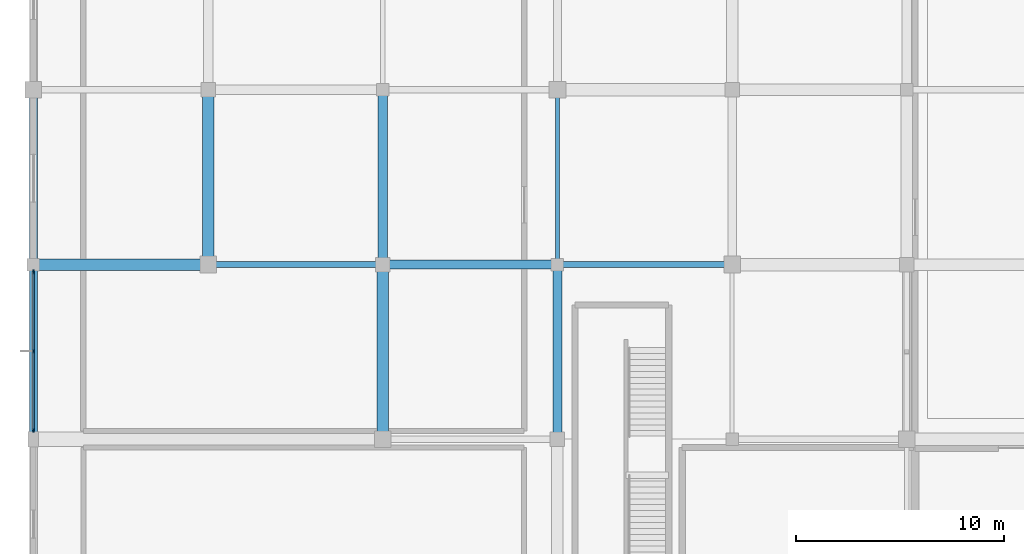
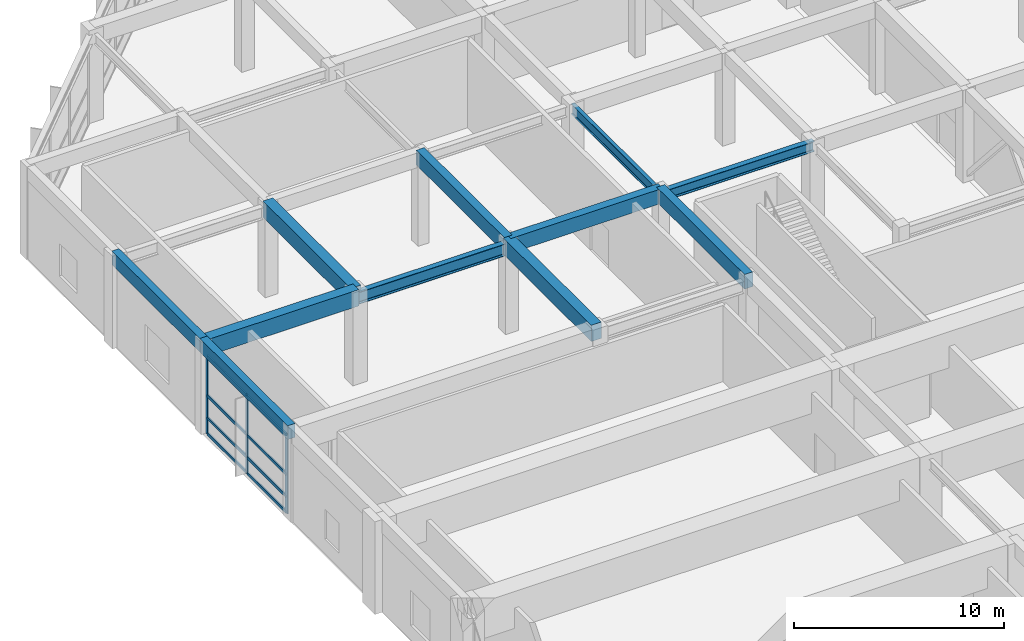
# One storey, part 18 of 62: 11 beams, 11 members, 1 element without a shape of its own.
"""IFC4 building model written with IfcOpenShell, lengths in metres."""

from ifc_helpers import new_model, si_unit, direction, frame, origin, origin_2d, place, context, subcontext, project, spatial, rectangle, i_section, extrude, material, material_profile, profile_set, type_object, element, aggregate, save


model = new_model("IFC4")

# Units and contexts
model_context = context("Model", 3, precision=1e-05, world=origin(), true_north=direction((0.0, 1.0)))
body_context = subcontext(model_context, "Body", "Model", "MODEL_VIEW")
ifc_project = project(units=[si_unit("LENGTHUNIT", "METRE"), si_unit("AREAUNIT", "SQUARE_METRE"), si_unit("VOLUMEUNIT", "CUBIC_METRE"), si_unit("PLANEANGLEUNIT", "RADIAN"), si_unit("MASSUNIT", "GRAM", prefix="KILO")], contexts=[model_context])

# Site, building, storey
site_placement = place(None, origin())
site = spatial("IfcSite", under=ifc_project, at=site_placement, CompositionType="ELEMENT")
building_placement = place(site_placement, origin())
building = spatial("IfcBuilding", under=site, at=building_placement, Name="Xuanlan Plaza Opera House", CompositionType="ELEMENT")
storey_placement = place(building_placement, origin())
storey = spatial("IfcBuildingStorey", under=building, at=storey_placement, Name="L00", CompositionType="ELEMENT", Elevation=0.0)

# Curtain wall, members
ifc_material_1 = material(Name="Anodised Aluminium 6063-T6 and Low-E Glass", Category="aluminium")
curtain_wall_type = type_object("IfcCurtainWallType", Name="ENV-CW-CW-01", PredefinedType="USERDEFINED", material=ifc_material_1)
curtain_wall_placement = place(storey_placement, origin())
curtain_wall = element("IfcCurtainWall", 1, at=curtain_wall_placement, inside=storey, type_object=curtain_wall_type, Name="Unitised Curtain Wall L00-051", ObjectType="UNITISED CURTAIN WALL", PredefinedType="USERDEFINED")
ifc_material_2 = material(Name="Anodised Aluminium 6063-T6", Category="aluminium")
ifc_material_profile_1 = material_profile(ifc_material_2, rectangle(XDim=0.074951171875, YDim=0.199951171875, at=origin_2d()), Name="ALU-M 75x200")
ifc_profile_set_1 = profile_set([ifc_material_profile_1], Name="Anodised Aluminium 6063-T6")
member_type_1 = type_object("IfcMemberType", Name="ENV-CWM-03", PredefinedType="MULLION", material=ifc_profile_set_1)
member_1_placement = place(storey_placement, frame((0.0, 83.642578125, 0.0), z_axis=(0.0, 0.0, 1.0), x_axis=(1.0, 0.0, 0.0)))
member_1 = element("IfcMember", 2, at=member_1_placement, type_object=member_type_1, Name="CW-01 mullion 1", PredefinedType="MULLION", context=body_context, shape_type="SweptSolid", body=[
    extrude(rectangle(XDim=0.074951171875, YDim=0.199951171875, at=origin_2d()), origin(), (0.0, 0.0, 1.0), 4.580078125),
])
member_2_placement = place(storey_placement, frame((0.0, 79.83740234375, 0.0), z_axis=(0.0, 0.0, 1.0), x_axis=(1.0, 0.0, 0.0)))
member_2 = element("IfcMember", 3, at=member_2_placement, type_object=member_type_1, Name="CW-01 mullion 2", PredefinedType="MULLION", context=body_context, shape_type="SweptSolid", body=[
    extrude(rectangle(XDim=0.074951171875, YDim=0.199951171875, at=origin_2d()), origin(), (0.0, 0.0, 1.0), 4.580078125),
])
member_3_placement = place(storey_placement, frame((0.0, 76.032470703125, 0.0), z_axis=(0.0, 0.0, 1.0), x_axis=(1.0, 0.0, 0.0)))
member_3 = element("IfcMember", 4, at=member_3_placement, type_object=member_type_1, Name="CW-01 mullion 3", PredefinedType="MULLION", context=body_context, shape_type="SweptSolid", body=[
    extrude(rectangle(XDim=0.074951171875, YDim=0.199951171875, at=origin_2d()), origin(), (0.0, 0.0, 1.0), 4.580078125),
])
ifc_material_profile_2 = material_profile(ifc_material_2, rectangle(XDim=0.080078125, YDim=0.1650390625, at=origin_2d()), Name="ALU-T 80x165")
ifc_profile_set_2 = profile_set([ifc_material_profile_2], Name="Anodised Aluminium 6063-T6")
member_type_2 = type_object("IfcMemberType", Name="ENV-CWT-04", PredefinedType="USERDEFINED", material=ifc_profile_set_2)
member_4_placement = place(storey_placement, frame((0.0, 83.60498046875, 0.0400390625), z_axis=(0.0, -1.0, 0.0), x_axis=(1.0, 0.0, 0.0)))
member_4 = element("IfcMember", 5, at=member_4_placement, type_object=member_type_2, Name="CW-01 transom 1.1", ObjectType="TRANSOM", PredefinedType="USERDEFINED", context=body_context, shape_type="SweptSolid", body=[
    extrude(rectangle(XDim=0.080078125, YDim=0.1650390625, at=origin_2d()), origin(), (0.0, 0.0, 1.0), 3.72998046875),
])
member_5_placement = place(storey_placement, frame((0.0, 83.60498046875, 0.949951171875), z_axis=(0.0, -1.0, 0.0), x_axis=(1.0, 0.0, 0.0)))
member_5 = element("IfcMember", 6, at=member_5_placement, type_object=member_type_2, Name="CW-01 transom 1.2", ObjectType="TRANSOM", PredefinedType="USERDEFINED", context=body_context, shape_type="SweptSolid", body=[
    extrude(rectangle(XDim=0.080078125, YDim=0.1650390625, at=origin_2d()), origin(), (0.0, 0.0, 1.0), 3.72998046875),
])
member_6_placement = place(storey_placement, frame((0.0, 83.60498046875, 2.25), z_axis=(0.0, -1.0, 0.0), x_axis=(1.0, 0.0, 0.0)))
member_6 = element("IfcMember", 7, at=member_6_placement, type_object=member_type_2, Name="CW-01 transom 1.3", ObjectType="TRANSOM", PredefinedType="USERDEFINED", context=body_context, shape_type="SweptSolid", body=[
    extrude(rectangle(XDim=0.080078125, YDim=0.1650390625, at=origin_2d()), origin(), (0.0, 0.0, 1.0), 3.72998046875),
])
member_7_placement = place(storey_placement, frame((0.0, 83.60498046875, 4.5400390625), z_axis=(0.0, -1.0, 0.0), x_axis=(1.0, 0.0, 0.0)))
member_7 = element("IfcMember", 8, at=member_7_placement, type_object=member_type_2, Name="CW-01 transom 1.4", ObjectType="TRANSOM", PredefinedType="USERDEFINED", context=body_context, shape_type="SweptSolid", body=[
    extrude(rectangle(XDim=0.080078125, YDim=0.1650390625, at=origin_2d()), origin(), (0.0, 0.0, 1.0), 3.72998046875),
])
member_8_placement = place(storey_placement, frame((0.0, 79.800048828125, 0.0400390625), z_axis=(0.0, -1.0, 0.0), x_axis=(1.0, 0.0, 0.0)))
member_8 = element("IfcMember", 9, at=member_8_placement, type_object=member_type_2, Name="CW-01 transom 2.1", ObjectType="TRANSOM", PredefinedType="USERDEFINED", context=body_context, shape_type="SweptSolid", body=[
    extrude(rectangle(XDim=0.080078125, YDim=0.1650390625, at=origin_2d()), origin(), (0.0, 0.0, 1.0), 3.72998046875),
])
member_9_placement = place(storey_placement, frame((0.0, 79.800048828125, 0.949951171875), z_axis=(0.0, -1.0, 0.0), x_axis=(1.0, 0.0, 0.0)))
member_9 = element("IfcMember", 10, at=member_9_placement, type_object=member_type_2, Name="CW-01 transom 2.2", ObjectType="TRANSOM", PredefinedType="USERDEFINED", context=body_context, shape_type="SweptSolid", body=[
    extrude(rectangle(XDim=0.080078125, YDim=0.1650390625, at=origin_2d()), origin(), (0.0, 0.0, 1.0), 3.72998046875),
])
member_10_placement = place(storey_placement, frame((0.0, 79.800048828125, 2.25), z_axis=(0.0, -1.0, 0.0), x_axis=(1.0, 0.0, 0.0)))
member_10 = element("IfcMember", 11, at=member_10_placement, type_object=member_type_2, Name="CW-01 transom 2.3", ObjectType="TRANSOM", PredefinedType="USERDEFINED", context=body_context, shape_type="SweptSolid", body=[
    extrude(rectangle(XDim=0.080078125, YDim=0.1650390625, at=origin_2d()), origin(), (0.0, 0.0, 1.0), 3.72998046875),
])
member_11_placement = place(storey_placement, frame((0.0, 79.800048828125, 4.5400390625), z_axis=(0.0, -1.0, 0.0), x_axis=(1.0, 0.0, 0.0)))
member_11 = element("IfcMember", 12, at=member_11_placement, type_object=member_type_2, Name="CW-01 transom 2.4", ObjectType="TRANSOM", PredefinedType="USERDEFINED", context=body_context, shape_type="SweptSolid", body=[
    extrude(rectangle(XDim=0.080078125, YDim=0.1650390625, at=origin_2d()), origin(), (0.0, 0.0, 1.0), 3.72998046875),
])
aggregate(curtain_wall, [member_1, member_2, member_3, member_4, member_5, member_6, member_7, member_8, member_9, member_10, member_11])

# Beams
ifc_material_3 = material(Name="Concrete C50", Category="concrete")
ifc_material_profile_3 = material_profile(ifc_material_3, rectangle(XDim=0.550048828125, YDim=0.949951171875, at=origin_2d()), Name="RC-BM 550x950")
ifc_profile_set_3 = profile_set([ifc_material_profile_3], Name="Concrete C50")
beam_type_1 = type_object("IfcBeamType", Name="STR-BM-B-02", PredefinedType="BEAM", material=ifc_profile_set_3)
for number, where, z_axis, x_axis, name in (
    (13, (0.0, 84.0, 4.925048828125), (1.0, 0.0, 0.0), (0.0, 1.0, 0.0), "Grid Beam X L00 1-2/K"),
    (14, (8.39990234375, 84.0, 4.925048828125), (0.0, 1.0, 0.0), (-1.0, 0.0, 0.0), "Grid Beam Y L00 2/K-L"),
    (15, (16.800048828125, 75.60009765625, 4.925048828125), (0.0, 1.0, 0.0), (-1.0, 0.0, 0.0), "Grid Beam Y L00 3/J-K"),
):
    element("IfcBeam", number, at=place(storey_placement, frame(where, z_axis=z_axis, x_axis=x_axis)), inside=storey, type_object=beam_type_1, Name=name, PredefinedType="BEAM", context=body_context, shape_type="SweptSolid", body=[
        extrude(rectangle(XDim=0.550048828125, YDim=0.949951171875, at=origin_2d()), origin(), (0.0, 0.0, 1.0), 8.39990234375),
    ])
ifc_material_4 = material(Name="Concrete C40", Category="concrete")
ifc_material_profile_4 = material_profile(ifc_material_4, rectangle(XDim=0.449951171875, YDim=0.85009765625, at=origin_2d()), Name="RC-BM 450x850")
ifc_profile_set_4 = profile_set([ifc_material_profile_4], Name="Concrete C40")
beam_type_2 = type_object("IfcBeamType", Name="STR-BM-B-04", PredefinedType="BEAM", material=ifc_profile_set_4)
for number, where, z_axis, x_axis, name in (
    (16, (16.800048828125, 84.0, 4.97509765625), (1.0, 0.0, 0.0), (0.0, 1.0, 0.0), "Grid Beam X L00 3-4/K"),
    (17, (16.800048828125, 84.0, 4.97509765625), (0.0, 1.0, 0.0), (-1.0, 0.0, 0.0), "Grid Beam Y L00 3/K-L"),
    (18, (25.199951171875, 75.60009765625, 4.97509765625), (0.0, 1.0, 0.0), (-1.0, 0.0, 0.0), "Grid Beam Y L00 4/J-K"),
):
    element("IfcBeam", number, at=place(storey_placement, frame(where, z_axis=z_axis, x_axis=x_axis)), inside=storey, type_object=beam_type_2, Name=name, PredefinedType="BEAM", context=body_context, shape_type="SweptSolid", body=[
        extrude(rectangle(XDim=0.449951171875, YDim=0.85009765625, at=origin_2d()), origin(), (0.0, 0.0, 1.0), 8.39990234375),
    ])
ifc_material_5 = material(Name="Steel Q355B", Category="steel")
ifc_material_profile_5 = material_profile(ifc_material_5, i_section(OverallWidth=0.300048828125, OverallDepth=0.699951171875, WebThickness=0.012939453125, FlangeThickness=0.02392578125, FilletRadius=0.02392578125, at=origin_2d()), Name="HN 700x300x13x24")
ifc_profile_set_5 = profile_set([ifc_material_profile_5], Name="Steel Q355B")
beam_type_3 = type_object("IfcBeamType", Name="STR-BM-SB-03", PredefinedType="BEAM", material=ifc_profile_set_5)
beam_1_placement = place(storey_placement, frame((8.39990234375, 84.0, 4.784912109375), z_axis=(1.0, 0.0, 0.0), x_axis=(0.0, 1.0, 0.0)))
element("IfcBeam", 19, at=beam_1_placement, inside=storey, type_object=beam_type_3, Name="Grid Beam X L00 2-3/K", PredefinedType="BEAM", context=body_context, shape_type="SweptSolid", body=[
    extrude(i_section(OverallWidth=0.300048828125, OverallDepth=0.699951171875, WebThickness=0.012939453125, FlangeThickness=0.02392578125, FilletRadius=0.02392578125, at=origin_2d()), origin(), (0.0, 0.0, 1.0), 8.400146484375),
])
ifc_material_profile_6 = material_profile(ifc_material_5, i_section(OverallWidth=0.199951171875, OverallDepth=0.60009765625, WebThickness=0.010986328125, FlangeThickness=0.01708984375, FilletRadius=0.02197265625, at=origin_2d()), Name="HN 600x200x11x17")
ifc_profile_set_6 = profile_set([ifc_material_profile_6], Name="Steel Q355B")
beam_type_4 = type_object("IfcBeamType", Name="STR-BM-SB-04", PredefinedType="BEAM", material=ifc_profile_set_6)
beam_2_placement = place(storey_placement, frame((25.199951171875, 84.0, 4.8349609375), z_axis=(0.0, 1.0, 0.0), x_axis=(-1.0, 0.0, 0.0)))
element("IfcBeam", 20, at=beam_2_placement, inside=storey, type_object=beam_type_4, Name="Grid Beam Y L00 4/K-L", PredefinedType="BEAM", context=body_context, shape_type="SweptSolid", body=[
    extrude(i_section(OverallWidth=0.199951171875, OverallDepth=0.60009765625, WebThickness=0.010986328125, FlangeThickness=0.01708984375, FilletRadius=0.02197265625, at=origin_2d()), origin(), (0.0, 0.0, 1.0), 8.39990234375),
])
ifc_material_profile_7 = material_profile(ifc_material_5, i_section(OverallWidth=0.300048828125, OverallDepth=0.587890625, WebThickness=0.011962890625, FlangeThickness=0.02001953125, FilletRadius=0.02392578125, at=origin_2d()), Name="HM 588x300x12x20")
ifc_profile_set_7 = profile_set([ifc_material_profile_7], Name="Steel Q355B")
beam_type_5 = type_object("IfcBeamType", Name="STR-BM-SB-06", PredefinedType="BEAM", material=ifc_profile_set_7)
beam_3_placement = place(storey_placement, frame((25.199951171875, 84.0, 4.841064453125), z_axis=(1.0, 0.0, 0.0), x_axis=(0.0, 1.0, 0.0)))
element("IfcBeam", 21, at=beam_3_placement, inside=storey, type_object=beam_type_5, Name="Grid Beam X L00 4-5/K", PredefinedType="BEAM", context=body_context, shape_type="SweptSolid", body=[
    extrude(i_section(OverallWidth=0.300048828125, OverallDepth=0.587890625, WebThickness=0.011962890625, FlangeThickness=0.02001953125, FilletRadius=0.02392578125, at=origin_2d()), origin(), (0.0, 0.0, 1.0), 8.400146484375),
])
ifc_material_profile_8 = material_profile(ifc_material_4, rectangle(XDim=0.39990234375, YDim=0.800048828125, at=origin_2d()), Name="RC-SPD 400x800")
ifc_profile_set_8 = profile_set([ifc_material_profile_8], Name="Concrete C40")
beam_type_6 = type_object("IfcBeamType", Name="STR-BM-SP-01", PredefinedType="SPANDREL", material=ifc_profile_set_8)
for number, where, z_axis, x_axis, name in (
    (22, (0.0, 75.60009765625, 5.0), (0.0, 1.0, 0.0), (-1.0, 0.0, 0.0), "Grid Beam Y L00 1/J-K"),
    (23, (0.0, 84.0, 5.0), (0.0, 1.0, 0.0), (-1.0, 0.0, 0.0), "Grid Beam Y L00 1/K-L"),
):
    element("IfcBeam", number, at=place(storey_placement, frame(where, z_axis=z_axis, x_axis=x_axis)), inside=storey, type_object=beam_type_6, Name=name, PredefinedType="SPANDREL", context=body_context, shape_type="SweptSolid", body=[
        extrude(rectangle(XDim=0.39990234375, YDim=0.800048828125, at=origin_2d()), origin(), (0.0, 0.0, 1.0), 8.39990234375),
    ])

save(model, "model.ifc")
